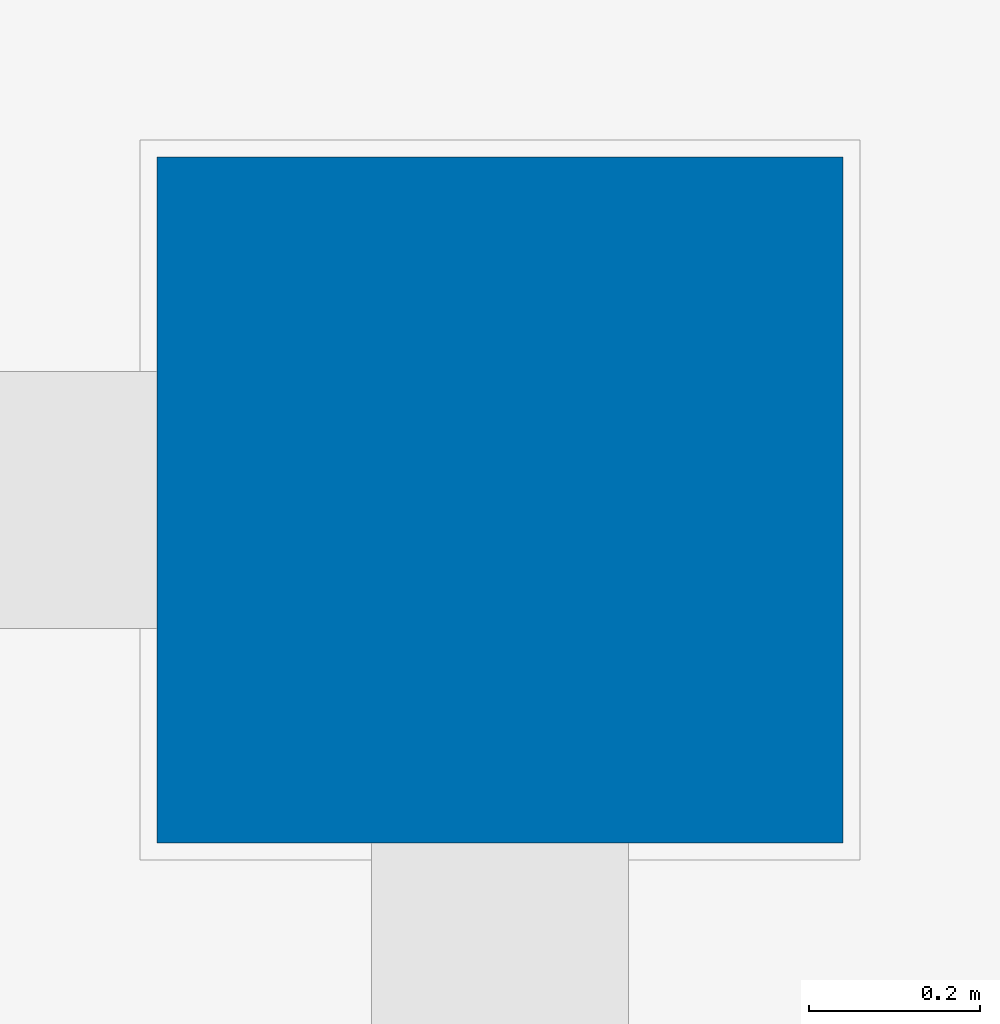
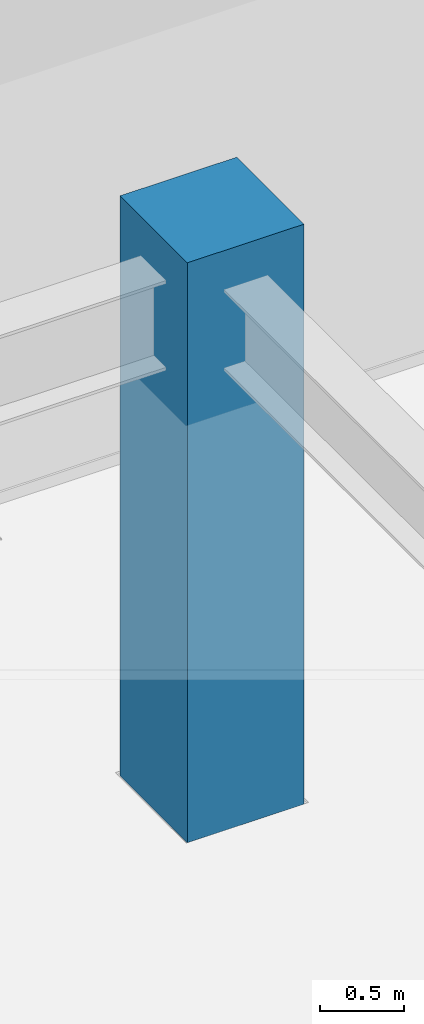
# One storey, part 4 of 34: 1 column.
"""IFC4 building model written with IfcOpenShell, lengths in metres."""

from ifc_helpers import new_model, si_unit, direction, frame, origin, origin_2d, place, context, subcontext, project, spatial, rectangle, extrude, source, transform, mapped, material, material_profile, profile_set, type_object, type_shapes, element, save


model = new_model("IFC4")

# Units and contexts
model_context = context("Model", 3, precision=1e-05, world=origin(), true_north=direction((0.0, 1.0)))
body_context = subcontext(model_context, "Body", "Model", "MODEL_VIEW")
ifc_project = project(units=[si_unit("LENGTHUNIT", "METRE"), si_unit("AREAUNIT", "SQUARE_METRE"), si_unit("VOLUMEUNIT", "CUBIC_METRE"), si_unit("PLANEANGLEUNIT", "RADIAN"), si_unit("MASSUNIT", "GRAM", prefix="KILO")], contexts=[model_context])

# Site, building, storey
site_placement = place(None, origin())
site = spatial("IfcSite", under=ifc_project, at=site_placement, CompositionType="ELEMENT")
building_placement = place(site_placement, origin())
building = spatial("IfcBuilding", under=site, at=building_placement, Name="Haelvirn Gate Laboratories", CompositionType="ELEMENT")
storey_placement = place(building_placement, frame((0.0, 0.0, 322.800048828125)))
storey = spatial("IfcBuildingStorey", under=building, at=storey_placement, Name="L77", CompositionType="ELEMENT", Elevation=322.800048828125)

# Column
ifc_material = material(Name="Concrete C50/60", Category="concrete")
ifc_material_profile = material_profile(ifc_material, rectangle(XDim=0.800048828125, YDim=0.800048828125, at=origin_2d()), Name="RC-800x800")
ifc_profile_set = profile_set([ifc_material_profile], Name="Concrete C50/60")
column_type = type_object("IfcColumnType", Name="COL-RC-800", PredefinedType="COLUMN", material=ifc_profile_set)
shared_shape = source(origin(), body_context, "Body", "SweptSolid", [
    extrude(rectangle(XDim=0.800048828125, YDim=0.800048828125, at=origin_2d()), origin(), (0.0, 0.0, 1.0), 4.199951171875),
])
type_shapes(column_type, [shared_shape])
column_placement = place(storey_placement, frame((60.0, 41.60009765625, 0.0), z_axis=(0.0, 0.0, 1.0), x_axis=(1.0, 0.0, 0.0)))
element("IfcColumn", 1, at=column_placement, inside=storey, type_object=column_type, Name="L77 Column 9G", PredefinedType="COLUMN", context=body_context, shape_type="MappedRepresentation", body=[
    mapped(shared_shape, transform((0.0, 0.0, 0.0), scale=1.0)),
])

save(model, "model.ifc")
